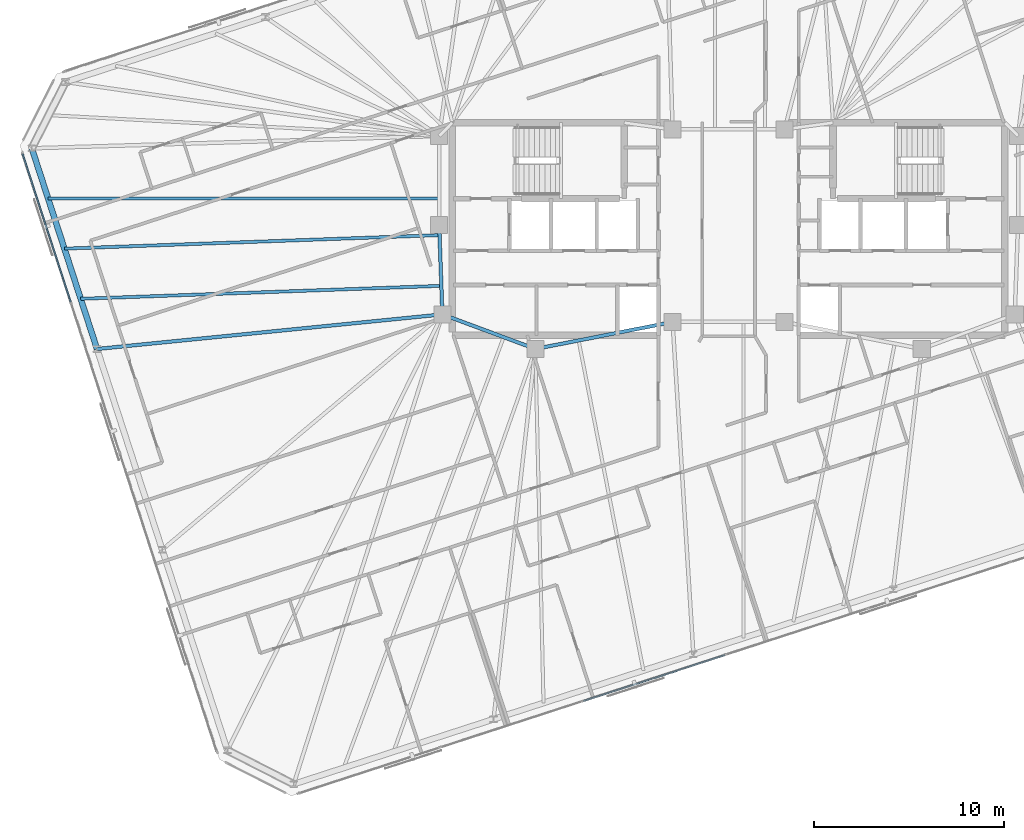
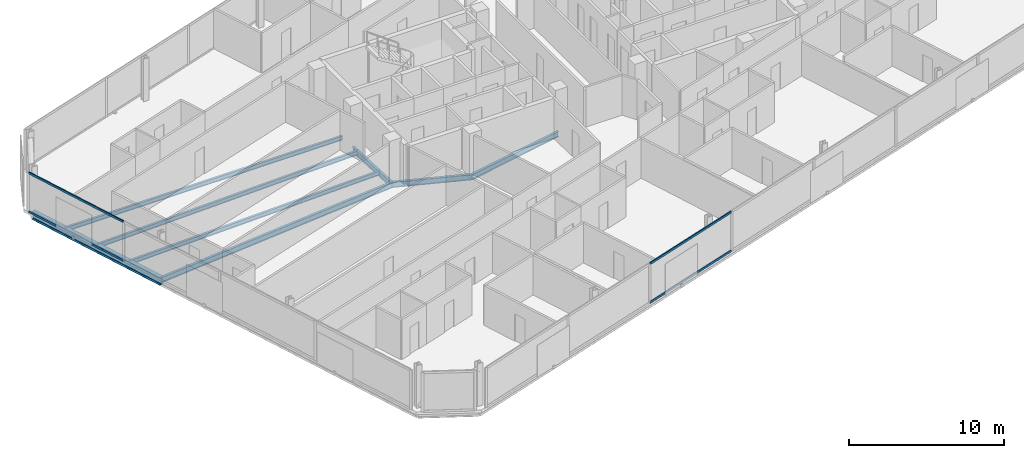
# One storey, part 6 of 19: 8 beams, 4 members, 2 elements without a shape of their own.
"""IFC4 building model written with IfcOpenShell, lengths in metres."""

from ifc_helpers import new_model, si_unit, direction, frame, origin, origin_2d, place, context, subcontext, project, spatial, rectangle, i_section, extrude, material, material_profile, profile_set, type_object, element, aggregate, save


model = new_model("IFC4")

# Units and contexts
model_context = context("Model", 3, precision=1e-05, world=origin(), true_north=direction((0.0, 1.0)))
body_context = subcontext(model_context, "Body", "Model", "MODEL_VIEW")
ifc_project = project(units=[si_unit("LENGTHUNIT", "METRE"), si_unit("AREAUNIT", "SQUARE_METRE"), si_unit("VOLUMEUNIT", "CUBIC_METRE"), si_unit("PLANEANGLEUNIT", "RADIAN"), si_unit("MASSUNIT", "GRAM", prefix="KILO")], contexts=[model_context])

# Site, building, storey
site_placement = place(None, origin())
site = spatial("IfcSite", under=ifc_project, at=site_placement, CompositionType="ELEMENT")
building_placement = place(site_placement, origin())
building = spatial("IfcBuilding", under=site, at=building_placement, Name="Menara Jurai Vektor", CompositionType="ELEMENT")
storey_placement = place(building_placement, frame((0.0, 0.0, 220.949951171875)))
storey = spatial("IfcBuildingStorey", under=building, at=storey_placement, Name="L58", CompositionType="ELEMENT", Elevation=220.949951171875)

# Curtain wall, members
ifc_material_1 = material(Name="Anodised Pale Aluminium & Low-E Double Glazing", Category="aluminium")
curtain_wall_type = type_object("IfcCurtainWallType", Name="CW-BLK4", PredefinedType="NOTDEFINED", material=ifc_material_1)
curtain_wall_1_placement = place(storey_placement, origin())
curtain_wall_1 = element("IfcCurtainWall", 1, at=curtain_wall_1_placement, inside=storey, type_object=curtain_wall_type, Name="Unitised Curtain Wall L58 F01", PredefinedType="NOTDEFINED")
ifc_material_2 = material(Name="Anodised Pale Aluminium Transom", Category="aluminium")
ifc_material_profile_1 = material_profile(ifc_material_2, rectangle(XDim=0.080078125, YDim=0.1650390625, at=origin_2d()), Name="ALU TRN 80x165")
ifc_profile_set_1 = profile_set([ifc_material_profile_1], Name="Anodised Pale Aluminium Transom")
member_type = type_object("IfcMemberType", Name="CW-BLK4-TRN", PredefinedType="USERDEFINED", material=ifc_profile_set_1)
member_1_placement = place(storey_placement, frame((-7.639404296875, -24.86669921875, 0.0400390625), z_axis=(0.951059330237, 0.309008333817, 0.0), x_axis=(-0.309008333817, 0.951059330237, 0.0)))
member_1 = element("IfcMember", 2, at=member_1_placement, type_object=member_type, Name="CW-04 transom 3.1", ObjectType="TRANSOM", PredefinedType="USERDEFINED", context=body_context, shape_type="SweptSolid", body=[
    extrude(rectangle(XDim=0.080078125, YDim=0.1650390625, at=origin_2d()), origin(), (0.0, 0.0, 1.0), 7.8115234375),
])
member_2_placement = place(storey_placement, frame((-7.639404296875, -24.86669921875, 3.0849609375), z_axis=(0.951059330237, 0.309008333817, 0.0), x_axis=(-0.309008333817, 0.951059330237, 0.0)))
member_2 = element("IfcMember", 3, at=member_2_placement, type_object=member_type, Name="CW-04 transom 3.2", ObjectType="TRANSOM", PredefinedType="USERDEFINED", context=body_context, shape_type="SweptSolid", body=[
    extrude(rectangle(XDim=0.080078125, YDim=0.1650390625, at=origin_2d()), origin(), (0.0, 0.0, 1.0), 7.8115234375),
])
aggregate(curtain_wall_1, [member_1, member_2])

curtain_wall_2_placement = place(storey_placement, origin())
curtain_wall_2 = element("IfcCurtainWall", 4, at=curtain_wall_2_placement, inside=storey, type_object=curtain_wall_type, Name="Unitised Curtain Wall L58 F07", PredefinedType="NOTDEFINED")
member_3_placement = place(storey_placement, frame((-37.19384765625, 3.950927734375, 0.0400390625), z_axis=(0.309010577384, -0.951058601278, 0.0), x_axis=(0.951058601278, 0.309010577384, 0.0)))
member_3 = element("IfcMember", 5, at=member_3_placement, type_object=member_type, Name="CW-04 transom 1.1", ObjectType="TRANSOM", PredefinedType="USERDEFINED", context=body_context, shape_type="SweptSolid", body=[
    extrude(rectangle(XDim=0.080078125, YDim=0.1650390625, at=origin_2d()), origin(), (0.0, 0.0, 1.0), 8.18994140625),
])
member_4_placement = place(storey_placement, frame((-37.19384765625, 3.950927734375, 3.0849609375), z_axis=(0.309010577384, -0.951058601278, 0.0), x_axis=(0.951058601278, 0.309010577384, 0.0)))
member_4 = element("IfcMember", 6, at=member_4_placement, type_object=member_type, Name="CW-04 transom 1.2", ObjectType="TRANSOM", PredefinedType="USERDEFINED", context=body_context, shape_type="SweptSolid", body=[
    extrude(rectangle(XDim=0.080078125, YDim=0.1650390625, at=origin_2d()), origin(), (0.0, 0.0, 1.0), 8.18994140625),
])
aggregate(curtain_wall_2, [member_3, member_4])

# Beams
ifc_material_3 = material(Name="Steel S355", Category="steel")
ifc_material_profile_2 = material_profile(ifc_material_3, i_section(OverallWidth=0.18505859375, OverallDepth=0.429931640625, WebThickness=0.010986328125, FlangeThickness=0.01806640625, at=origin_2d()), Name="PG 430x185x76")
ifc_profile_set_2 = profile_set([ifc_material_profile_2], Name="Steel S355")
beam_type_1 = type_object("IfcBeamType", Name="STR-BM-430", PredefinedType="BEAM", material=ifc_profile_set_2)
beam_1_placement = place(storey_placement, frame((-15.080078125, -4.5, -0.43994140625), z_axis=(-0.035977314146, 0.999352606874, 0.0), x_axis=(-0.999352606874, -0.035977314146, 0.0)))
element("IfcBeam", 7, at=beam_1_placement, inside=storey, type_object=beam_type_1, Name="Core Ring Header Girder L58-CHW-W2", PredefinedType="BEAM", context=body_context, shape_type="SweptSolid", body=[
    extrude(i_section(OverallWidth=0.18505859375, OverallDepth=0.429931640625, WebThickness=0.010986328125, FlangeThickness=0.01806640625, at=origin_2d()), origin(), (0.0, 0.0, 1.0), 4.72314453125),
])
beam_2_placement = place(storey_placement, frame((-15.080078125, -4.5, -0.43994140625), z_axis=(0.937424400887, -0.348188874925, 0.0), x_axis=(0.348188874925, 0.937424400887, 0.0)))
element("IfcBeam", 8, at=beam_2_placement, inside=storey, type_object=beam_type_1, Name="Core Ring Header Girder L58-CHW-S1", PredefinedType="BEAM", context=body_context, shape_type="SweptSolid", body=[
    extrude(i_section(OverallWidth=0.18505859375, OverallDepth=0.429931640625, WebThickness=0.010986328125, FlangeThickness=0.01806640625, at=origin_2d()), origin(), (0.0, 0.0, 1.0), 5.227294921875),
])
beam_3_placement = place(storey_placement, frame((-10.179931640625, -6.320068359375, -0.43994140625), z_axis=(0.981249044334, 0.192744164614, 0.0), x_axis=(-0.192744164614, 0.981249044334, 0.0)))
element("IfcBeam", 9, at=beam_3_placement, inside=storey, type_object=beam_type_1, Name="Core Ring Header Girder L58-CHW-S2", PredefinedType="BEAM", context=body_context, shape_type="SweptSolid", body=[
    extrude(i_section(OverallWidth=0.18505859375, OverallDepth=0.429931640625, WebThickness=0.010986328125, FlangeThickness=0.01806640625, at=origin_2d()), origin(), (0.0, 0.0, 1.0), 7.3681640625),
])
beam_4_placement = place(storey_placement, frame((-33.277587890625, -6.322509765625, -0.43994140625), z_axis=(0.995022243563, 0.099653072276, 0.0), x_axis=(-0.099653072276, 0.995022243563, 0.0)))
element("IfcBeam", 10, at=beam_4_placement, inside=storey, type_object=beam_type_1, Name="Radial Floor Girder L58-W2", PredefinedType="BEAM", context=body_context, shape_type="SweptSolid", body=[
    extrude(i_section(OverallWidth=0.18505859375, OverallDepth=0.429931640625, WebThickness=0.010986328125, FlangeThickness=0.01806640625, at=origin_2d()), origin(), (0.0, 0.0, 1.0), 18.28857421875),
])
ifc_material_profile_3 = material_profile(ifc_material_3, i_section(OverallWidth=0.1650390625, OverallDepth=0.330078125, WebThickness=0.009033203125, FlangeThickness=0.013916015625, at=origin_2d()), Name="PG 330x165x46")
ifc_profile_set_3 = profile_set([ifc_material_profile_3], Name="Steel S355")
beam_type_2 = type_object("IfcBeamType", Name="STR-JS-330", PredefinedType="JOIST", material=ifc_profile_set_3)
beam_5_placement = place(storey_placement, frame((-35.8544921875, 1.6083984375, -0.389892578125), z_axis=(1.0, 0.0, 0.0), x_axis=(0.0, 1.0, 0.0)))
element("IfcBeam", 11, at=beam_5_placement, inside=storey, type_object=beam_type_2, Name="Radial Secondary Floor Joist L58-JS28", PredefinedType="JOIST", context=body_context, shape_type="SweptSolid", body=[
    extrude(i_section(OverallWidth=0.1650390625, OverallDepth=0.330078125, WebThickness=0.009033203125, FlangeThickness=0.013916015625, at=origin_2d()), origin(), (0.0, 0.0, 1.0), 20.6044921875),
])
beam_6_placement = place(storey_placement, frame((-34.99560546875, -1.03515625, -0.389892578125), z_axis=(0.999351957959, 0.035995334734, 0.0), x_axis=(-0.035995334734, 0.999351957959, 0.0)))
element("IfcBeam", 12, at=beam_6_placement, inside=storey, type_object=beam_type_2, Name="Radial Secondary Floor Joist L58-JS29", PredefinedType="JOIST", context=body_context, shape_type="SweptSolid", body=[
    extrude(i_section(OverallWidth=0.1650390625, OverallDepth=0.330078125, WebThickness=0.009033203125, FlangeThickness=0.013916015625, at=origin_2d()), origin(), (0.0, 0.0, 1.0), 19.77783203125),
])
beam_7_placement = place(storey_placement, frame((-34.136474609375, -3.6787109375, -0.389892578125), z_axis=(0.999352161922, 0.035989671603, 0.0), x_axis=(-0.035989671603, 0.999352161922, 0.0)))
element("IfcBeam", 13, at=beam_7_placement, inside=storey, type_object=beam_type_2, Name="Radial Secondary Floor Joist L58-JS30", PredefinedType="JOIST", context=body_context, shape_type="SweptSolid", body=[
    extrude(i_section(OverallWidth=0.1650390625, OverallDepth=0.330078125, WebThickness=0.009033203125, FlangeThickness=0.013916015625, at=origin_2d()), origin(), (0.0, 0.0, 1.0), 19.014404296875),
])
ifc_material_profile_4 = material_profile(ifc_material_3, i_section(OverallWidth=0.306884765625, OverallDepth=0.6201171875, WebThickness=0.013916015625, FlangeThickness=0.02392578125, FilletRadius=0.01708984375, at=origin_2d()), Name="UKB 610x305x179")
ifc_profile_set_4 = profile_set([ifc_material_profile_4], Name="Steel S355")
beam_type_3 = type_object("IfcBeamType", Name="STR-SP-610", PredefinedType="SPANDREL", material=ifc_profile_set_4)
beam_8_placement = place(storey_placement, frame((-36.71337890625, 4.251953125, -0.534912109375), z_axis=(0.309012092614, -0.95105810896, 0.0), x_axis=(0.95105810896, 0.309012092614, 0.0)))
element("IfcBeam", 14, at=beam_8_placement, inside=storey, type_object=beam_type_3, Name="Exoskeleton Spandrel Beam L58-17", PredefinedType="SPANDREL", context=body_context, shape_type="SweptSolid", body=[
    extrude(i_section(OverallWidth=0.306884765625, OverallDepth=0.6201171875, WebThickness=0.013916015625, FlangeThickness=0.02392578125, FilletRadius=0.01708984375, at=origin_2d()), origin(), (0.0, 0.0, 1.0), 11.11865234375),
])

save(model, "model.ifc")
